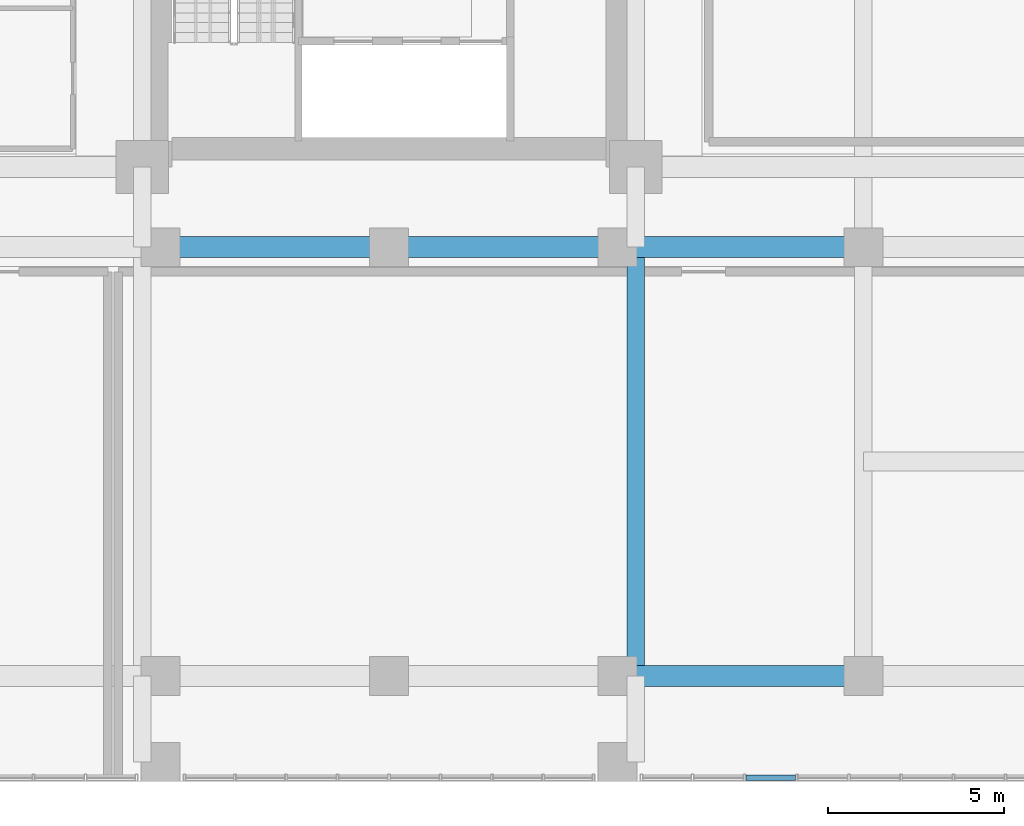
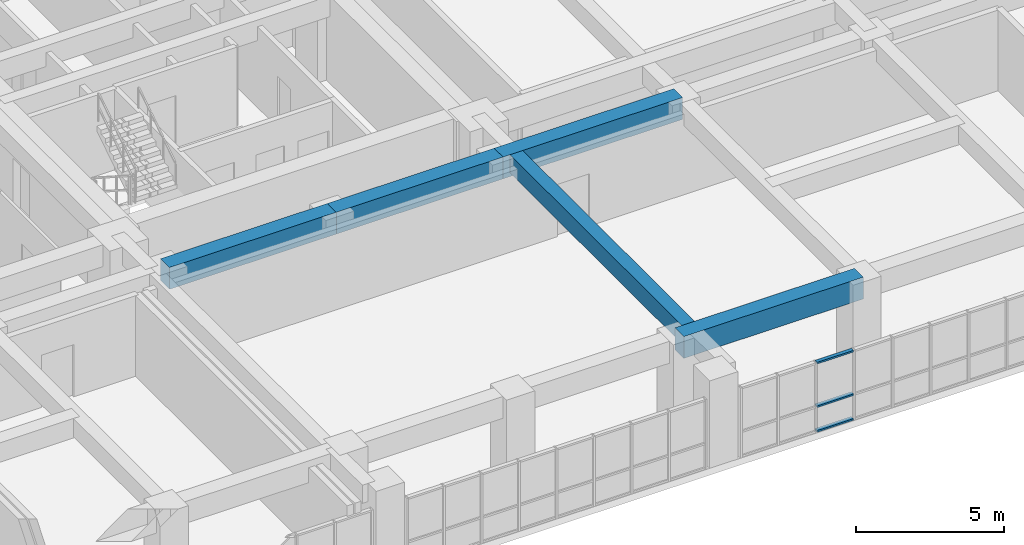
# One storey, part 7 of 30: 5 beams, 3 members, 1 element without a shape of its own.
"""IFC4 building model written with IfcOpenShell, lengths in metres."""

from ifc_helpers import new_model, si_unit, direction, frame, origin, origin_2d, place, context, subcontext, project, spatial, rectangle, hollow_rectangle, extrude, source, transform, mapped, material, layer, layer_set, material_profile, profile_set, type_object, element, aggregate, save


model = new_model("IFC4")

# Units and contexts
model_context = context("Model", 3, precision=1e-05, world=origin(), true_north=direction((0.0, 1.0)))
body_context = subcontext(model_context, "Body", "Model", "MODEL_VIEW")
ifc_project = project(units=[si_unit("LENGTHUNIT", "METRE"), si_unit("AREAUNIT", "SQUARE_METRE"), si_unit("VOLUMEUNIT", "CUBIC_METRE"), si_unit("PLANEANGLEUNIT", "RADIAN"), si_unit("MASSUNIT", "GRAM", prefix="KILO")], contexts=[model_context])

# Site, building, storey
site_placement = place(None, origin())
site = spatial("IfcSite", under=ifc_project, at=site_placement, CompositionType="ELEMENT")
building_placement = place(site_placement, origin())
building = spatial("IfcBuilding", under=site, at=building_placement, Name="Saelheon Loggia Tower", CompositionType="ELEMENT")
storey_placement = place(building_placement, frame((0.0, 0.0, 7.800048828125)))
storey = spatial("IfcBuildingStorey", under=building, at=storey_placement, Name="L02", CompositionType="ELEMENT", Elevation=7.800048828125)

# Beams
ifc_material_1 = material(Name="Concrete C50/60", Category="concrete")
ifc_material_profile_1 = material_profile(ifc_material_1, rectangle(XDim=0.60009765625, YDim=0.89990234375, at=origin_2d()), Name="RC-600x900")
ifc_profile_set_1 = profile_set([ifc_material_profile_1], Name="Concrete C50/60")
beam_type_1 = type_object("IfcBeamType", Name="Beam_MainGirder_RC600x900", PredefinedType="BEAM", material=ifc_profile_set_1)
shared_shape_1 = source(origin(), body_context, "Body", "SweptSolid", [
    extrude(rectangle(XDim=0.60009765625, YDim=0.89990234375, at=origin_2d()), origin(), (0.0, 0.0, 1.0), 7.0),
])
for number, where, z_axis, x_axis, name in (
    (1, (44.5, 3.0, 3.14990234375), (1.0, 0.0, 0.0), (0.0, 1.0, 0.0), "BM-L02-EW-3-6"),
    (2, (44.5, 15.199951171875, 3.14990234375), (1.0, 0.0, 0.0), (0.0, 1.0, 0.0), "BM-L02-EW-15-6"),
):
    element("IfcBeam", number, at=place(storey_placement, frame(where, z_axis=z_axis, x_axis=x_axis)), inside=storey, type_object=beam_type_1, Name=name, PredefinedType="BEAM", context=body_context, shape_type="MappedRepresentation", body=[
        mapped(shared_shape_1, transform((0.0, 0.0, 0.0), scale=1.0)),
    ])
shared_shape_2 = source(origin(), body_context, "Body", "SweptSolid", [
    extrude(rectangle(XDim=0.60009765625, YDim=0.89990234375, at=origin_2d()), origin(), (0.0, 0.0, 1.0), 6.5),
])
for number, where, z_axis, x_axis, name in (
    (3, (31.5, 15.199951171875, 3.14990234375), (1.0, 0.0, 0.0), (0.0, 1.0, 0.0), "BM-L02-EW-15-4"),
    (4, (38.0, 15.199951171875, 3.14990234375), (1.0, 0.0, 0.0), (0.0, 1.0, 0.0), "BM-L02-EW-15-5"),
):
    element("IfcBeam", number, at=place(storey_placement, frame(where, z_axis=z_axis, x_axis=x_axis)), inside=storey, type_object=beam_type_1, Name=name, PredefinedType="BEAM", context=body_context, shape_type="MappedRepresentation", body=[
        mapped(shared_shape_2, transform((0.0, 0.0, 0.0), scale=1.0)),
    ])
ifc_material_2 = material(Name="Concrete C45/55", Category="concrete")
ifc_material_profile_2 = material_profile(ifc_material_2, rectangle(XDim=0.5, YDim=0.75, at=origin_2d()), Name="RC-500x750")
ifc_profile_set_2 = profile_set([ifc_material_profile_2], Name="Concrete C45/55")
beam_type_2 = type_object("IfcBeamType", Name="Beam_FloorGirder_RC500x750", PredefinedType="BEAM", material=ifc_profile_set_2)
shared_shape_3 = source(origin(), body_context, "Body", "SweptSolid", [
    extrude(rectangle(XDim=0.5, YDim=0.75, at=origin_2d()), origin(), (0.0, 0.0, 1.0), 12.199951171875),
])
beam_placement = place(storey_placement, frame((45.02001953125, 3.0, 3.224853515625), z_axis=(0.0, 1.0, 0.0), x_axis=(-1.0, 0.0, 0.0)))
element("IfcBeam", 5, at=beam_placement, inside=storey, type_object=beam_type_2, Name="BM-L02-NS-45-2", PredefinedType="BEAM", context=body_context, shape_type="MappedRepresentation", body=[
    mapped(shared_shape_3, transform((0.0, 0.0, 0.0), scale=1.0)),
])

# Curtain wall, members
ifc_material_3 = material(Name="Aluminium 6063-T6 and Low-E IGU", Category="aluminium")
ifc_layer = layer(ifc_material_3, 0.179931640625)
ifc_layer_set = layer_set([ifc_layer], Name="Aluminium 6063-T6 and Low-E IGU")
curtain_wall_type = type_object("IfcCurtainWallType", Name="CW_PodiumClinic", PredefinedType="NOTDEFINED", material=ifc_layer_set)
curtain_wall_placement = place(storey_placement, origin())
curtain_wall = element("IfcCurtainWall", 6, at=curtain_wall_placement, inside=storey, type_object=curtain_wall_type, Name="L02 South Clinic Curtain Wall 3", PredefinedType="NOTDEFINED")
ifc_material_4 = material(Name="Anodised Aluminium 6063-T6", Category="aluminium")
ifc_material_profile_3 = material_profile(ifc_material_4, hollow_rectangle(XDim=0.070068359375, YDim=0.14990234375, WallThickness=0.0048828125, at=origin_2d()), Name="RHS-150x70x5")
ifc_profile_set_3 = profile_set([ifc_material_profile_3], Name="Anodised Aluminium 6063-T6")
member_type = type_object("IfcMemberType", Name="CW_PodiumClinic_Transom", PredefinedType="USERDEFINED", material=ifc_profile_set_3)
shared_shape_4 = source(origin(), body_context, "Body", "SweptSolid", [
    extrude(hollow_rectangle(XDim=0.070068359375, YDim=0.14990234375, WallThickness=0.0048828125, at=origin_2d()), origin(), (0.0, 0.0, 1.0), 1.4150390625),
])
member_1_placement = place(storey_placement, frame((48.155029296875, 0.10009765625, 0.034912109375), z_axis=(1.0, 0.0, 0.0), x_axis=(0.0, 0.0, 1.0)))
member_1 = element("IfcMember", 7, at=member_1_placement, type_object=member_type, Name="CW1 transom 3.1", ObjectType="TRANSOM", PredefinedType="USERDEFINED", context=body_context, shape_type="MappedRepresentation", body=[
    mapped(shared_shape_4, transform((0.0, 0.0, 0.0), scale=1.0)),
])
member_2_placement = place(storey_placement, frame((48.155029296875, 0.10009765625, 1.050048828125), z_axis=(1.0, 0.0, 0.0), x_axis=(0.0, 0.0, 1.0)))
member_2 = element("IfcMember", 8, at=member_2_placement, type_object=member_type, Name="CW1 transom 3.2", ObjectType="TRANSOM", PredefinedType="USERDEFINED", context=body_context, shape_type="MappedRepresentation", body=[
    mapped(shared_shape_4, transform((0.0, 0.0, 0.0), scale=1.0)),
])
member_3_placement = place(storey_placement, frame((48.155029296875, 0.10009765625, 2.844970703125), z_axis=(1.0, 0.0, 0.0), x_axis=(0.0, 0.0, 1.0)))
member_3 = element("IfcMember", 9, at=member_3_placement, type_object=member_type, Name="CW1 transom 3.3", ObjectType="TRANSOM", PredefinedType="USERDEFINED", context=body_context, shape_type="MappedRepresentation", body=[
    mapped(shared_shape_4, transform((0.0, 0.0, 0.0), scale=1.0)),
])
aggregate(curtain_wall, [member_1, member_2, member_3])

save(model, "model.ifc")
